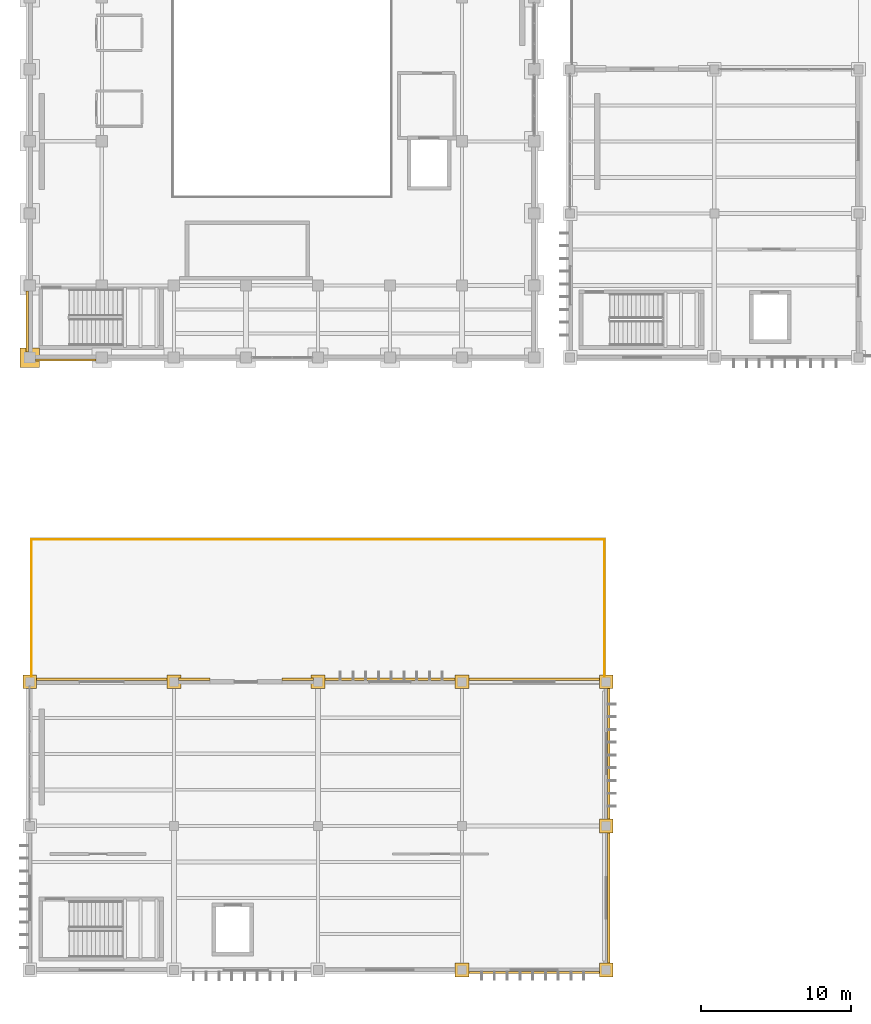
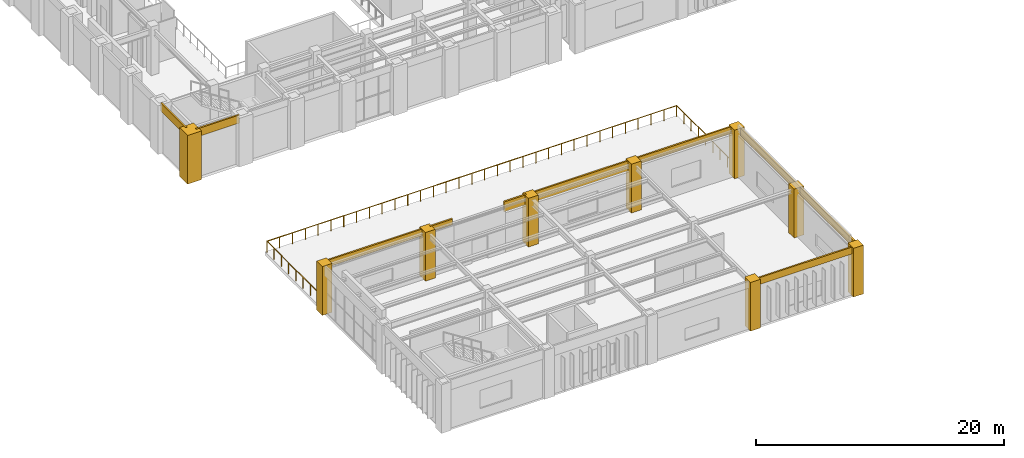
# One storey, part 67 of 83: 19 coverings, 3 railings.
"""IFC4 building model written with IfcOpenShell, lengths in metres."""

from ifc_helpers import new_model, si_unit, direction, frame, origin, origin_2d, place, context, subcontext, project, spatial, polyline, circle, outline, extrude, material, layer, layer_set, type_object, element, save


model = new_model("IFC4")

# Units and contexts
model_context = context("Model", 3, precision=1e-05, world=origin(), true_north=direction((0.0, 1.0)))
body_context = subcontext(model_context, "Body", "Model", "MODEL_VIEW")
ifc_project = project(units=[si_unit("LENGTHUNIT", "METRE"), si_unit("AREAUNIT", "SQUARE_METRE"), si_unit("VOLUMEUNIT", "CUBIC_METRE"), si_unit("PLANEANGLEUNIT", "RADIAN"), si_unit("MASSUNIT", "GRAM", prefix="KILO")], contexts=[model_context])

# Site, building, storey
site_placement = place(None, origin())
site = spatial("IfcSite", under=ifc_project, at=site_placement, CompositionType="ELEMENT")
building_placement = place(site_placement, origin())
building = spatial("IfcBuilding", under=site, at=building_placement, Name="Mavantir Sound Aquarium", CompositionType="ELEMENT")
storey_placement = place(building_placement, frame((0.0, 0.0, 10.5)))
storey = spatial("IfcBuildingStorey", under=building, at=storey_placement, Name="L02", CompositionType="ELEMENT", Elevation=10.5)

# Coverings
ifc_material_1 = material(Name="Honed Coral-Limestone & Glazed Terracotta Rainscreen Cladding", Category="masonry")
ifc_layer = layer(ifc_material_1, 0.06005859375, Name="Honed Coral-Limestone & Glazed Terracotta Rainscreen Cladding")
ifc_layer_set = layer_set([ifc_layer], Name="Honed Coral-Limestone & Glazed Terracotta Rainscreen Cladding")
covering_type = type_object("IfcCoveringType", Name="COV-CLAD-TC", PredefinedType="CLADDING", material=ifc_layer_set)
covering_1_placement = place(storey_placement, frame((0.0, 0.0, 4.008056640625)))
element("IfcCovering", 1, at=covering_1_placement, inside=storey, type_object=covering_type, Name="L02 Postmodern coral-limestone spandrel frieze 306", PredefinedType="CLADDING", context=body_context, shape_type="SweptSolid", body=[
    extrude(outline(polyline([(-0.090087890625, 45.217041015625), (-0.090087890625, 41.18310546875), (-0.239990234375, 41.18310546875), (-0.239990234375, 45.217041015625), (-0.090087890625, 45.217041015625)])), origin(), (0.0, 0.0, 1.0), 0.7919921875),
])
covering_2_placement = place(storey_placement, frame((0.0, 0.0, 4.008056640625)))
element("IfcCovering", 2, at=covering_2_placement, inside=storey, type_object=covering_type, Name="L02 Postmodern coral-limestone spandrel frieze 307", PredefinedType="CLADDING", context=body_context, shape_type="SweptSolid", body=[
    extrude(outline(polyline([(0.383056640625, 40.7099609375), (4.4169921875, 40.7099609375), (4.4169921875, 40.56005859375), (0.383056640625, 40.56005859375), (0.383056640625, 40.7099609375)])), origin(), (0.0, 0.0, 1.0), 0.7919921875),
])
covering_3_placement = place(storey_placement, frame((0.0, 0.0, 4.072998046875)))
element("IfcCovering", 3, at=covering_3_placement, inside=storey, type_object=covering_type, Name="L02 Postmodern coral-limestone spandrel frieze 324", PredefinedType="CLADDING", context=body_context, shape_type="SweptSolid", body=[
    extrude(outline(polyline([(38.489990234375, 0.30810546875), (38.489990234375, 9.2919921875), (38.639892578125, 9.2919921875), (38.639892578125, 0.30810546875), (38.489990234375, 0.30810546875)])), origin(), (0.0, 0.0, 1.0), 0.72705078125),
])
covering_4_placement = place(storey_placement, frame((0.0, 0.0, 4.072998046875)))
element("IfcCovering", 4, at=covering_4_placement, inside=storey, type_object=covering_type, Name="L02 Postmodern coral-limestone spandrel frieze 325", PredefinedType="CLADDING", context=body_context, shape_type="SweptSolid", body=[
    extrude(outline(polyline([(38.489990234375, 9.907958984375), (38.489990234375, 18.89208984375), (38.639892578125, 18.89208984375), (38.639892578125, 9.907958984375), (38.489990234375, 9.907958984375)])), origin(), (0.0, 0.0, 1.0), 0.72705078125),
])
covering_5_placement = place(storey_placement, frame((0.0, 0.0, 4.1279296875)))
element("IfcCovering", 5, at=covering_5_placement, inside=storey, type_object=covering_type, Name="L02 Postmodern coral-limestone spandrel frieze 326", PredefinedType="CLADDING", context=body_context, shape_type="SweptSolid", body=[
    extrude(outline(polyline([(38.092041015625, 19.2900390625), (29.10791015625, 19.2900390625), (29.10791015625, 19.43994140625), (38.092041015625, 19.43994140625), (38.092041015625, 19.2900390625)])), origin(), (0.0, 0.0, 1.0), 0.672119140625),
])
covering_6_placement = place(storey_placement, frame((0.0, 0.0, 3.824951171875)))
element("IfcCovering", 6, at=covering_6_placement, inside=storey, type_object=covering_type, Name="L02 Postmodern coral-limestone spandrel frieze 327", PredefinedType="CLADDING", context=body_context, shape_type="SweptSolid", body=[
    extrude(outline(polyline([(28.491943359375, 19.2900390625), (19.508056640625, 19.2900390625), (19.508056640625, 19.43994140625), (28.491943359375, 19.43994140625), (28.491943359375, 19.2900390625)])), origin(), (0.0, 0.0, 1.0), 0.97509765625),
])
covering_7_placement = place(storey_placement, frame((0.0, 0.0, 3.824951171875)))
element("IfcCovering", 7, at=covering_7_placement, inside=storey, type_object=covering_type, Name="L02 Postmodern coral-limestone spandrel frieze 328", PredefinedType="CLADDING", context=body_context, shape_type="SweptSolid", body=[
    extrude(outline(polyline([(18.89208984375, 19.2900390625), (16.804931640625, 19.2900390625), (16.804931640625, 19.43994140625), (18.89208984375, 19.43994140625), (18.89208984375, 19.2900390625)])), origin(), (0.0, 0.0, 1.0), 0.97509765625),
])
covering_8_placement = place(storey_placement, frame((0.0, 0.0, 4.23291015625)))
element("IfcCovering", 8, at=covering_8_placement, inside=storey, type_object=covering_type, Name="L02 Postmodern coral-limestone spandrel frieze 329", PredefinedType="CLADDING", context=body_context, shape_type="SweptSolid", body=[
    extrude(outline(polyline([(11.9951171875, 19.2900390625), (9.907958984375, 19.2900390625), (9.907958984375, 19.43994140625), (11.9951171875, 19.43994140625), (11.9951171875, 19.2900390625)])), origin(), (0.0, 0.0, 1.0), 0.567138671875),
])
covering_9_placement = place(storey_placement, frame((0.0, 0.0, 4.1279296875)))
element("IfcCovering", 9, at=covering_9_placement, inside=storey, type_object=covering_type, Name="L02 Postmodern coral-limestone spandrel frieze 330", PredefinedType="CLADDING", context=body_context, shape_type="SweptSolid", body=[
    extrude(outline(polyline([(9.2919921875, 19.2900390625), (0.30810546875, 19.2900390625), (0.30810546875, 19.43994140625), (9.2919921875, 19.43994140625), (9.2919921875, 19.2900390625)])), origin(), (0.0, 0.0, 1.0), 0.672119140625),
])
covering_10_placement = place(storey_placement, frame((0.0, 0.0, 4.1279296875)))
element("IfcCovering", 10, at=covering_10_placement, inside=storey, type_object=covering_type, Name="L02 Postmodern coral-limestone spandrel frieze 336", PredefinedType="CLADDING", context=body_context, shape_type="SweptSolid", body=[
    extrude(outline(polyline([(29.10791015625, -0.090087890625), (38.092041015625, -0.090087890625), (38.092041015625, -0.239990234375), (29.10791015625, -0.239990234375), (29.10791015625, -0.090087890625)])), origin(), (0.0, 0.0, 1.0), 0.672119140625),
])
covering_11_placement = place(storey_placement, origin())
element("IfcCovering", 11, at=covering_11_placement, inside=storey, type_object=covering_type, Name="L02 Postmodern coral-limestone pilaster casing 3", PredefinedType="CLADDING", context=body_context, shape_type="SweptSolid", body=[
    extrude(outline(polyline([(-0.64990234375, 40.14990234375), (0.64990234375, 40.14990234375), (0.64990234375, 41.449951171875), (-0.64990234375, 41.449951171875), (-0.64990234375, 40.14990234375)])), origin(), (0.0, 0.0, 1.0), 4.800048828125),
])
covering_12_placement = place(storey_placement, origin())
element("IfcCovering", 12, at=covering_12_placement, inside=storey, type_object=covering_type, Name="L02 Postmodern coral-limestone pilaster casing 169", PredefinedType="CLADDING", context=body_context, shape_type="SweptSolid", body=[
    extrude(outline(polyline([(-0.4599609375, 18.739990234375), (0.4599609375, 18.739990234375), (0.4599609375, 19.659912109375), (-0.4599609375, 19.659912109375), (-0.4599609375, 18.739990234375)])), origin(), (0.0, 0.0, 1.0), 4.800048828125),
])
covering_13_placement = place(storey_placement, origin())
element("IfcCovering", 13, at=covering_13_placement, inside=storey, type_object=covering_type, Name="L02 Postmodern coral-limestone pilaster casing 177", PredefinedType="CLADDING", context=body_context, shape_type="SweptSolid", body=[
    extrude(outline(polyline([(9.139892578125, 18.739990234375), (10.06005859375, 18.739990234375), (10.06005859375, 19.659912109375), (9.139892578125, 19.659912109375), (9.139892578125, 18.739990234375)])), origin(), (0.0, 0.0, 1.0), 4.800048828125),
])
covering_14_placement = place(storey_placement, origin())
element("IfcCovering", 14, at=covering_14_placement, inside=storey, type_object=covering_type, Name="L02 Postmodern coral-limestone pilaster casing 185", PredefinedType="CLADDING", context=body_context, shape_type="SweptSolid", body=[
    extrude(outline(polyline([(18.739990234375, 18.739990234375), (19.659912109375, 18.739990234375), (19.659912109375, 19.659912109375), (18.739990234375, 19.659912109375), (18.739990234375, 18.739990234375)])), origin(), (0.0, 0.0, 1.0), 4.800048828125),
])
covering_15_placement = place(storey_placement, origin())
element("IfcCovering", 15, at=covering_15_placement, inside=storey, type_object=covering_type, Name="L02 Postmodern coral-limestone pilaster casing 191", PredefinedType="CLADDING", context=body_context, shape_type="SweptSolid", body=[
    extrude(outline(polyline([(28.340087890625, -0.4599609375), (29.260009765625, -0.4599609375), (29.260009765625, 0.4599609375), (28.340087890625, 0.4599609375), (28.340087890625, -0.4599609375)])), origin(), (0.0, 0.0, 1.0), 4.800048828125),
])
covering_16_placement = place(storey_placement, origin())
element("IfcCovering", 16, at=covering_16_placement, inside=storey, type_object=covering_type, Name="L02 Postmodern coral-limestone pilaster casing 194", PredefinedType="CLADDING", context=body_context, shape_type="SweptSolid", body=[
    extrude(outline(polyline([(28.340087890625, 18.739990234375), (29.260009765625, 18.739990234375), (29.260009765625, 19.659912109375), (28.340087890625, 19.659912109375), (28.340087890625, 18.739990234375)])), origin(), (0.0, 0.0, 1.0), 4.800048828125),
])
covering_17_placement = place(storey_placement, origin())
element("IfcCovering", 17, at=covering_17_placement, inside=storey, type_object=covering_type, Name="L02 Postmodern coral-limestone pilaster casing 200", PredefinedType="CLADDING", context=body_context, shape_type="SweptSolid", body=[
    extrude(outline(polyline([(37.93994140625, -0.4599609375), (38.860107421875, -0.4599609375), (38.860107421875, 0.4599609375), (37.93994140625, 0.4599609375), (37.93994140625, -0.4599609375)])), origin(), (0.0, 0.0, 1.0), 4.800048828125),
])
covering_18_placement = place(storey_placement, origin())
element("IfcCovering", 18, at=covering_18_placement, inside=storey, type_object=covering_type, Name="L02 Postmodern coral-limestone pilaster casing 202", PredefinedType="CLADDING", context=body_context, shape_type="SweptSolid", body=[
    extrude(outline(polyline([(37.93994140625, 9.139892578125), (38.860107421875, 9.139892578125), (38.860107421875, 10.06005859375), (37.93994140625, 10.06005859375), (37.93994140625, 9.139892578125)])), origin(), (0.0, 0.0, 1.0), 4.800048828125),
])
covering_19_placement = place(storey_placement, origin())
element("IfcCovering", 19, at=covering_19_placement, inside=storey, type_object=covering_type, Name="L02 Postmodern coral-limestone pilaster casing 204", PredefinedType="CLADDING", context=body_context, shape_type="SweptSolid", body=[
    extrude(outline(polyline([(37.93994140625, 18.739990234375), (38.860107421875, 18.739990234375), (38.860107421875, 19.659912109375), (37.93994140625, 19.659912109375), (37.93994140625, 18.739990234375)])), origin(), (0.0, 0.0, 1.0), 4.800048828125),
])

# Railings
ifc_material_2 = material(Name="Stainless Steel 316 and Laminated Glass Guardrail", Category="steel")
railing_type = type_object("IfcRailingType", Name="RL-GUARD-110", PredefinedType="GUARDRAIL", material=ifc_material_2)
railing_1_placement = place(storey_placement, frame((0.1201171875, 19.320068359375, 0.0)))
element("IfcRailing", 20, at=railing_1_placement, inside=storey, type_object=railing_type, Name="L02 terrace W guardrail 22", PredefinedType="GUARDRAIL", context=body_context, shape_type="SweptSolid", body=[
    extrude(circle(Radius=0.02392578125, at=origin_2d()), frame((0.0, 0.0, 1.076171875), z_axis=(0.0, 1.0, 0.0), x_axis=(-1.0, 0.0, 0.0)), (0.0, 0.0, 1.0), 9.35986328125),
    extrude(circle(Radius=0.02099609375, at=origin_2d()), origin(), (0.0, 0.0, 1.0), 1.052001953125),
    extrude(circle(Radius=0.02099609375, at=origin_2d()), frame((0.0, 1.169921875, 0.0)), (0.0, 0.0, 1.0), 1.052001953125),
    extrude(circle(Radius=0.02099609375, at=origin_2d()), frame((0.0, 2.33984375, 0.0)), (0.0, 0.0, 1.0), 1.052001953125),
    extrude(circle(Radius=0.02099609375, at=origin_2d()), frame((0.0, 3.510009765625, 0.0)), (0.0, 0.0, 1.0), 1.052001953125),
    extrude(circle(Radius=0.02099609375, at=origin_2d()), frame((0.0, 4.679931640625, 0.0)), (0.0, 0.0, 1.0), 1.052001953125),
    extrude(circle(Radius=0.02099609375, at=origin_2d()), frame((0.0, 5.849853515625, 0.0)), (0.0, 0.0, 1.0), 1.052001953125),
    extrude(circle(Radius=0.02099609375, at=origin_2d()), frame((0.0, 7.02001953125, 0.0)), (0.0, 0.0, 1.0), 1.052001953125),
    extrude(circle(Radius=0.02099609375, at=origin_2d()), frame((0.0, 8.18994140625, 0.0)), (0.0, 0.0, 1.0), 1.052001953125),
    extrude(circle(Radius=0.02099609375, at=origin_2d()), frame((0.0, 9.35986328125, 0.0)), (0.0, 0.0, 1.0), 1.052001953125),
])
railing_2_placement = place(storey_placement, frame((0.1201171875, 28.679931640625, 0.0)))
element("IfcRailing", 21, at=railing_2_placement, inside=storey, type_object=railing_type, Name="L02 terrace N guardrail 23", PredefinedType="GUARDRAIL", context=body_context, shape_type="SweptSolid", body=[
    extrude(circle(Radius=0.02392578125, at=origin_2d()), frame((0.0, 0.0, 1.076171875), z_axis=(1.0, 0.0, 0.0), x_axis=(0.0, 1.0, 0.0)), (0.0, 0.0, 1.0), 38.159912109375),
    extrude(circle(Radius=0.02099609375, at=origin_2d()), origin(), (0.0, 0.0, 1.0), 1.052001953125),
    extrude(circle(Radius=0.02099609375, at=origin_2d()), frame((1.1923828125, 0.0, 0.0)), (0.0, 0.0, 1.0), 1.052001953125),
    extrude(circle(Radius=0.02099609375, at=origin_2d()), frame((2.385009765625, 0.0, 0.0)), (0.0, 0.0, 1.0), 1.052001953125),
    extrude(circle(Radius=0.02099609375, at=origin_2d()), frame((3.577392578125, 0.0, 0.0)), (0.0, 0.0, 1.0), 1.052001953125),
    extrude(circle(Radius=0.02099609375, at=origin_2d()), frame((4.77001953125, 0.0, 0.0)), (0.0, 0.0, 1.0), 1.052001953125),
    extrude(circle(Radius=0.02099609375, at=origin_2d()), frame((5.96240234375, 0.0, 0.0)), (0.0, 0.0, 1.0), 1.052001953125),
    extrude(circle(Radius=0.02099609375, at=origin_2d()), frame((7.155029296875, 0.0, 0.0)), (0.0, 0.0, 1.0), 1.052001953125),
    extrude(circle(Radius=0.02099609375, at=origin_2d()), frame((8.347412109375, 0.0, 0.0)), (0.0, 0.0, 1.0), 1.052001953125),
    extrude(circle(Radius=0.02099609375, at=origin_2d()), frame((9.5400390625, 0.0, 0.0)), (0.0, 0.0, 1.0), 1.052001953125),
    extrude(circle(Radius=0.02099609375, at=origin_2d()), frame((10.732421875, 0.0, 0.0)), (0.0, 0.0, 1.0), 1.052001953125),
    extrude(circle(Radius=0.02099609375, at=origin_2d()), frame((11.925048828125, 0.0, 0.0)), (0.0, 0.0, 1.0), 1.052001953125),
    extrude(circle(Radius=0.02099609375, at=origin_2d()), frame((13.117431640625, 0.0, 0.0)), (0.0, 0.0, 1.0), 1.052001953125),
    extrude(circle(Radius=0.02099609375, at=origin_2d()), frame((14.31005859375, 0.0, 0.0)), (0.0, 0.0, 1.0), 1.052001953125),
    extrude(circle(Radius=0.02099609375, at=origin_2d()), frame((15.50244140625, 0.0, 0.0)), (0.0, 0.0, 1.0), 1.052001953125),
    extrude(circle(Radius=0.02099609375, at=origin_2d()), frame((16.695068359375, 0.0, 0.0)), (0.0, 0.0, 1.0), 1.052001953125),
    extrude(circle(Radius=0.02099609375, at=origin_2d()), frame((17.887451171875, 0.0, 0.0)), (0.0, 0.0, 1.0), 1.052001953125),
    extrude(circle(Radius=0.02099609375, at=origin_2d()), frame((19.080078125, 0.0, 0.0)), (0.0, 0.0, 1.0), 1.052001953125),
    extrude(circle(Radius=0.02099609375, at=origin_2d()), frame((20.2724609375, 0.0, 0.0)), (0.0, 0.0, 1.0), 1.052001953125),
    extrude(circle(Radius=0.02099609375, at=origin_2d()), frame((21.46484375, 0.0, 0.0)), (0.0, 0.0, 1.0), 1.052001953125),
    extrude(circle(Radius=0.02099609375, at=origin_2d()), frame((22.657470703125, 0.0, 0.0)), (0.0, 0.0, 1.0), 1.052001953125),
    extrude(circle(Radius=0.02099609375, at=origin_2d()), frame((23.849853515625, 0.0, 0.0)), (0.0, 0.0, 1.0), 1.052001953125),
    extrude(circle(Radius=0.02099609375, at=origin_2d()), frame((25.04248046875, 0.0, 0.0)), (0.0, 0.0, 1.0), 1.052001953125),
    extrude(circle(Radius=0.02099609375, at=origin_2d()), frame((26.23486328125, 0.0, 0.0)), (0.0, 0.0, 1.0), 1.052001953125),
    extrude(circle(Radius=0.02099609375, at=origin_2d()), frame((27.427490234375, 0.0, 0.0)), (0.0, 0.0, 1.0), 1.052001953125),
    extrude(circle(Radius=0.02099609375, at=origin_2d()), frame((28.619873046875, 0.0, 0.0)), (0.0, 0.0, 1.0), 1.052001953125),
    extrude(circle(Radius=0.02099609375, at=origin_2d()), frame((29.8125, 0.0, 0.0)), (0.0, 0.0, 1.0), 1.052001953125),
    extrude(circle(Radius=0.02099609375, at=origin_2d()), frame((31.0048828125, 0.0, 0.0)), (0.0, 0.0, 1.0), 1.052001953125),
    extrude(circle(Radius=0.02099609375, at=origin_2d()), frame((32.197509765625, 0.0, 0.0)), (0.0, 0.0, 1.0), 1.052001953125),
    extrude(circle(Radius=0.02099609375, at=origin_2d()), frame((33.389892578125, 0.0, 0.0)), (0.0, 0.0, 1.0), 1.052001953125),
    extrude(circle(Radius=0.02099609375, at=origin_2d()), frame((34.58251953125, 0.0, 0.0)), (0.0, 0.0, 1.0), 1.052001953125),
    extrude(circle(Radius=0.02099609375, at=origin_2d()), frame((35.77490234375, 0.0, 0.0)), (0.0, 0.0, 1.0), 1.052001953125),
    extrude(circle(Radius=0.02099609375, at=origin_2d()), frame((36.967529296875, 0.0, 0.0)), (0.0, 0.0, 1.0), 1.052001953125),
    extrude(circle(Radius=0.02099609375, at=origin_2d()), frame((38.159912109375, 0.0, 0.0)), (0.0, 0.0, 1.0), 1.052001953125),
])
railing_3_placement = place(storey_placement, frame((38.280029296875, 19.320068359375, 0.0)))
element("IfcRailing", 22, at=railing_3_placement, inside=storey, type_object=railing_type, Name="L02 terrace E guardrail 24", PredefinedType="GUARDRAIL", context=body_context, shape_type="SweptSolid", body=[
    extrude(circle(Radius=0.02392578125, at=origin_2d()), frame((0.0, 0.0, 1.076171875), z_axis=(0.0, 1.0, 0.0), x_axis=(-1.0, 0.0, 0.0)), (0.0, 0.0, 1.0), 9.35986328125),
    extrude(circle(Radius=0.02099609375, at=origin_2d()), origin(), (0.0, 0.0, 1.0), 1.052001953125),
    extrude(circle(Radius=0.02099609375, at=origin_2d()), frame((0.0, 1.169921875, 0.0)), (0.0, 0.0, 1.0), 1.052001953125),
    extrude(circle(Radius=0.02099609375, at=origin_2d()), frame((0.0, 2.33984375, 0.0)), (0.0, 0.0, 1.0), 1.052001953125),
    extrude(circle(Radius=0.02099609375, at=origin_2d()), frame((0.0, 3.510009765625, 0.0)), (0.0, 0.0, 1.0), 1.052001953125),
    extrude(circle(Radius=0.02099609375, at=origin_2d()), frame((0.0, 4.679931640625, 0.0)), (0.0, 0.0, 1.0), 1.052001953125),
    extrude(circle(Radius=0.02099609375, at=origin_2d()), frame((0.0, 5.849853515625, 0.0)), (0.0, 0.0, 1.0), 1.052001953125),
    extrude(circle(Radius=0.02099609375, at=origin_2d()), frame((0.0, 7.02001953125, 0.0)), (0.0, 0.0, 1.0), 1.052001953125),
    extrude(circle(Radius=0.02099609375, at=origin_2d()), frame((0.0, 8.18994140625, 0.0)), (0.0, 0.0, 1.0), 1.052001953125),
    extrude(circle(Radius=0.02099609375, at=origin_2d()), frame((0.0, 9.35986328125, 0.0)), (0.0, 0.0, 1.0), 1.052001953125),
])

save(model, "model.ifc")
